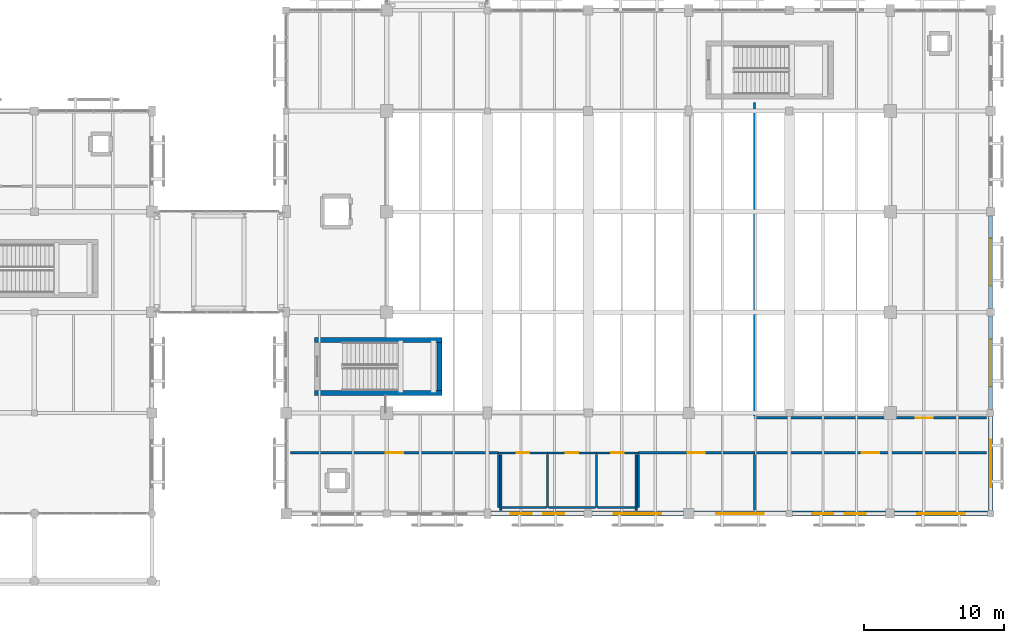
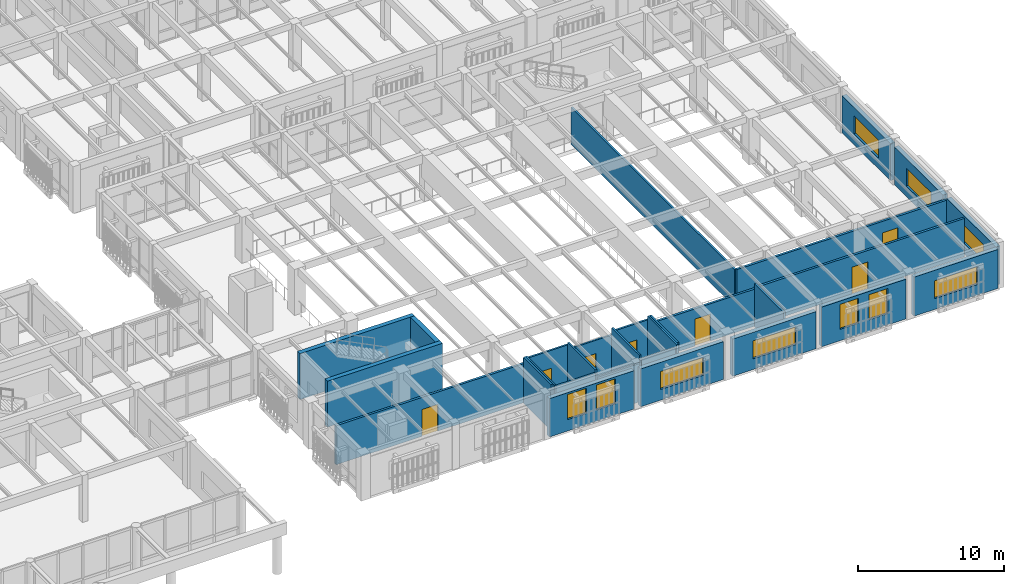
# One storey, part 137 of 170: 29 walls, 10 windows, 7 doors, 17 openings.
"""IFC4 building model written with IfcOpenShell, lengths in metres."""

from ifc_helpers import new_model, si_unit, direction, frame, frame_2d, origin, place, context, subcontext, project, spatial, rectangle, extrude, material, layer, layer_set, type_object, element, fill, save


model = new_model("IFC4")

# Units and contexts
model_context = context("Model", 3, precision=1e-05, world=origin(), true_north=direction((0.0, 1.0)))
body_context = subcontext(model_context, "Body", "Model", "MODEL_VIEW")
ifc_project = project(units=[si_unit("LENGTHUNIT", "METRE"), si_unit("AREAUNIT", "SQUARE_METRE"), si_unit("VOLUMEUNIT", "CUBIC_METRE"), si_unit("PLANEANGLEUNIT", "RADIAN"), si_unit("MASSUNIT", "GRAM", prefix="KILO")], contexts=[model_context])

# Site, building, storey
site_placement = place(None, origin())
site = spatial("IfcSite", under=ifc_project, at=site_placement, CompositionType="ELEMENT")
building_placement = place(site_placement, origin())
building = spatial("IfcBuilding", under=site, at=building_placement, Name="Mazaris Harbour Polytechnic", CompositionType="ELEMENT")
storey_placement = place(building_placement, frame((0.0, 0.0, 5.39990234375)))
storey = spatial("IfcBuildingStorey", under=building, at=storey_placement, Name="L01", CompositionType="ELEMENT", Elevation=5.39990234375)

# Walls
ifc_material_1 = material(Name="Double Gypsum and Mineral Wool")
ifc_layer_1 = layer(ifc_material_1, 0.14990234375, Name="Double Gypsum and Mineral Wool")
ifc_layer_set_1 = layer_set([ifc_layer_1], Name="Double Gypsum and Mineral Wool")
wall_type_1 = type_object("IfcWallType", Name="Classroom Acoustic Partition 150", PredefinedType="PARTITIONING", material=ifc_layer_set_1)
wall_1_placement = place(storey_placement, frame((155.89990234375, 7.449951171875, 0.0), z_axis=(0.0, 0.0, 1.0), x_axis=(0.0, 1.0, 0.0)))
element("IfcWall", 1, at=wall_1_placement, inside=storey, type_object=wall_type_1, Name="V2 L01 Partition 131", PredefinedType="PARTITIONING", context=body_context, shape_type="SweptSolid", body=[
    extrude(rectangle(XDim=3.97998046875, YDim=0.14990234375, at=frame_2d((1.989990234375, 0.0))), origin(), (0.0, 0.0, 1.0), 3.610107421875),
])
wall_2_placement = place(storey_placement, frame((155.89990234375, 14.169921875, 0.0), z_axis=(0.0, 0.0, 1.0), x_axis=(0.0, 1.0, 0.0)))
element("IfcWall", 2, at=wall_2_placement, inside=storey, type_object=wall_type_1, Name="V2 L01 Partition 134", PredefinedType="PARTITIONING", context=body_context, shape_type="SweptSolid", body=[
    extrude(rectangle(XDim=22.425048828125, YDim=0.14990234375, at=frame_2d((11.21240234375, 0.0))), origin(), (0.0, 0.0, 1.0), 3.110107421875),
])

# Wall, opening, door
ifc_material_2 = material(Name="Terracotta Block and Plaster", Category="masonry")
ifc_layer_2 = layer(ifc_material_2, 0.179931640625, Name="Terracotta Block and Plaster")
ifc_layer_set_2 = layer_set([ifc_layer_2], Name="Terracotta Block and Plaster")
wall_type_2 = type_object("IfcWallType", Name="Corridor Fire Partition 180", PredefinedType="PARTITIONING", material=ifc_layer_set_2)
wall_3_placement = place(storey_placement, frame((122.699951171875, 11.550048828125, 0.0), z_axis=(0.0, 0.0, 1.0), x_axis=(1.0, 0.0, 0.0)))
wall_3 = element("IfcWall", 3, at=wall_3_placement, inside=storey, type_object=wall_type_2, Name="V2 L01 Partition 127", PredefinedType="PARTITIONING", context=body_context, shape_type="SweptSolid", body=[
    extrude(rectangle(XDim=14.89501953125, YDim=0.179931640625, at=frame_2d((7.447509765625, 0.0))), origin(), (0.0, 0.0, 1.0), 3.27001953125),
])
opening_1_placement = place(wall_3_placement, frame((6.827392578125, 0.0, 0.0)))
opening_1 = element("IfcOpeningElement", 4, at=opening_1_placement, cuts=wall_3, Name="Opening ID-10R", PredefinedType="OPENING", context=body_context, shape_type="SweptSolid", body=[
    extrude(rectangle(XDim=1.239990234375, YDim=2.25, at=frame_2d((0.6201171875, 1.125))), frame((0.0, 0.099853515625, 0.0), z_axis=(0.0, -1.0, 0.0), x_axis=(1.0, 0.0, 0.0)), (0.0, 0.0, 1.0), 0.199951171875),
])
ifc_material_3 = material(Name="Glulam Timber and Glass", Category="wood")
door_type_1 = type_object("IfcDoorType", Name="Library Commons Door RH 1240x2250", OperationType="SINGLE_SWING_RIGHT", PredefinedType="DOOR", material=ifc_material_3)
door_1_placement = place(opening_1_placement, origin())
door_1 = element("IfcDoor", 5, at=door_1_placement, inside=storey, type_object=door_type_1, Name="ID-0060", OperationType="SINGLE_SWING_RIGHT", OverallHeight=2.25, OverallWidth=1.239990234375, PredefinedType="DOOR", context=body_context, shape_type="SweptSolid", body=[
    extrude(rectangle(XDim=1.239990234375, YDim=2.25, at=frame_2d((0.6201171875, 1.125))), frame((0.0, 0.02490234375, 0.0), z_axis=(0.0, -1.0, 0.0), x_axis=(1.0, 0.0, 0.0)), (0.0, 0.0, 1.0), 0.050048828125),
])
fill(opening_1, door_1)

wall_4_placement = place(storey_placement, frame((147.60498046875, 11.550048828125, 0.0), z_axis=(0.0, 0.0, 1.0), x_axis=(1.0, 0.0, 0.0)))
wall_4 = element("IfcWall", 6, at=wall_4_placement, inside=storey, type_object=wall_type_2, Name="V2 L01 Partition 129", PredefinedType="PARTITIONING", context=body_context, shape_type="SweptSolid", body=[
    extrude(rectangle(XDim=8.294921875, YDim=0.179931640625, at=frame_2d((4.1474609375, 0.0))), origin(), (0.0, 0.0, 1.0), 3.110107421875),
])
opening_2_placement = place(wall_4_placement, frame((3.53759765625, 0.0, 0.0)))
opening_2 = element("IfcOpeningElement", 7, at=opening_2_placement, cuts=wall_4, Name="Opening ID-10L", PredefinedType="OPENING", context=body_context, shape_type="SweptSolid", body=[
    extrude(rectangle(XDim=1.219970703125, YDim=2.25, at=frame_2d((0.60986328125, 1.125))), frame((0.0, 0.099853515625, 0.0), z_axis=(0.0, -1.0, 0.0), x_axis=(1.0, 0.0, 0.0)), (0.0, 0.0, 1.0), 0.199951171875),
])
ifc_material_4 = material(Name="Glulam Timber and Glass", Category="wood")
door_type_2 = type_object("IfcDoorType", Name="Library Commons Door LH 1220x2250", OperationType="SINGLE_SWING_LEFT", PredefinedType="DOOR", material=ifc_material_4)
door_2_placement = place(opening_2_placement, origin())
door_2 = element("IfcDoor", 8, at=door_2_placement, inside=storey, type_object=door_type_2, Name="ID-0061", OperationType="SINGLE_SWING_LEFT", OverallHeight=2.25, OverallWidth=1.219970703125, PredefinedType="DOOR", context=body_context, shape_type="SweptSolid", body=[
    extrude(rectangle(XDim=1.219970703125, YDim=2.25, at=frame_2d((0.60986328125, 1.125))), frame((0.0, 0.02490234375, 0.0), z_axis=(0.0, -1.0, 0.0), x_axis=(1.0, 0.0, 0.0)), (0.0, 0.0, 1.0), 0.050048828125),
])
fill(opening_2, door_2)

wall_5_placement = place(storey_placement, frame((155.905029296875, 11.550048828125, 0.0), z_axis=(0.0, 0.0, 1.0), x_axis=(1.0, 0.0, 0.0)))
wall_5 = element("IfcWall", 9, at=wall_5_placement, inside=storey, type_object=wall_type_2, Name="V2 L01 Partition 132", PredefinedType="PARTITIONING", context=body_context, shape_type="SweptSolid", body=[
    extrude(rectangle(XDim=16.594970703125, YDim=0.179931640625, at=frame_2d((8.29736328125, 0.0))), origin(), (0.0, 0.0, 1.0), 3.210205078125),
])
opening_3_placement = place(wall_5_placement, frame((7.677490234375, 0.0, 0.0)))
opening_3 = element("IfcOpeningElement", 10, at=opening_3_placement, cuts=wall_5, Name="Opening ID-10R", PredefinedType="OPENING", context=body_context, shape_type="SweptSolid", body=[
    extrude(rectangle(XDim=1.239990234375, YDim=2.25, at=frame_2d((0.6201171875, 1.125))), frame((0.0, 0.099853515625, 0.0), z_axis=(0.0, -1.0, 0.0), x_axis=(1.0, 0.0, 0.0)), (0.0, 0.0, 1.0), 0.199951171875),
])
door_3_placement = place(opening_3_placement, origin())
door_3 = element("IfcDoor", 11, at=door_3_placement, inside=storey, type_object=door_type_1, Name="ID-0062", OperationType="SINGLE_SWING_RIGHT", OverallHeight=2.25, OverallWidth=1.239990234375, PredefinedType="DOOR", context=body_context, shape_type="SweptSolid", body=[
    extrude(rectangle(XDim=1.239990234375, YDim=2.25, at=frame_2d((0.6201171875, 1.125))), frame((0.0, 0.02490234375, 0.0), z_axis=(0.0, -1.0, 0.0), x_axis=(1.0, 0.0, 0.0)), (0.0, 0.0, 1.0), 0.050048828125),
])
fill(opening_3, door_3)

wall_6_placement = place(storey_placement, frame((155.89990234375, 14.050048828125, 0.0), z_axis=(0.0, 0.0, 1.0), x_axis=(1.0, 0.0, 0.0)))
wall_6 = element("IfcWall", 12, at=wall_6_placement, inside=storey, type_object=wall_type_2, Name="V2 L01 Partition 133", PredefinedType="PARTITIONING", context=body_context, shape_type="SweptSolid", body=[
    extrude(rectangle(XDim=16.60009765625, YDim=0.179931640625, at=frame_2d((8.300048828125, 0.0))), origin(), (0.0, 0.0, 1.0), 3.210205078125),
])
opening_4_placement = place(wall_6_placement, frame((11.534912109375, 0.0, 0.0)))
opening_4 = element("IfcOpeningElement", 13, at=opening_4_placement, cuts=wall_6, Name="Opening ID-10L", PredefinedType="OPENING", context=body_context, shape_type="SweptSolid", body=[
    extrude(rectangle(XDim=1.219970703125, YDim=2.25, at=frame_2d((0.60986328125, 1.125))), frame((0.0, 0.099853515625, 0.0), z_axis=(0.0, -1.0, 0.0), x_axis=(1.0, 0.0, 0.0)), (0.0, 0.0, 1.0), 0.199951171875),
])
door_4_placement = place(opening_4_placement, origin())
door_4 = element("IfcDoor", 14, at=door_4_placement, inside=storey, type_object=door_type_2, Name="ID-0063", OperationType="SINGLE_SWING_LEFT", OverallHeight=2.25, OverallWidth=1.219970703125, PredefinedType="DOOR", context=body_context, shape_type="SweptSolid", body=[
    extrude(rectangle(XDim=1.219970703125, YDim=2.25, at=frame_2d((0.60986328125, 1.125))), frame((0.0, 0.02490234375, 0.0), z_axis=(0.0, -1.0, 0.0), x_axis=(1.0, 0.0, 0.0)), (0.0, 0.0, 1.0), 0.050048828125),
])
fill(opening_4, door_4)

# Wall, openings, windows
ifc_material_5 = material(Name="Algerian Buff Limestone and Concrete C30/37", Category="masonry")
ifc_layer_3 = layer(ifc_material_5, 0.344970703125, Name="Algerian Buff Limestone and Concrete C30/37")
ifc_layer_set_3 = layer_set([ifc_layer_3], Name="Algerian Buff Limestone and Concrete C30/37")
wall_type_3 = type_object("IfcWallType", Name="Pavilion Gable Wall 345", PredefinedType="STANDARD", material=ifc_layer_set_3)
wall_7_placement = place(storey_placement, frame((143.73291015625, 7.199951171875, 0.0), z_axis=(0.0, 0.0, 1.0), x_axis=(-1.0, 0.0, 0.0)))
wall_7 = element("IfcWall", 15, at=wall_7_placement, inside=storey, type_object=wall_type_3, Name="V2 L01 Exterior Wall 53", PredefinedType="STANDARD", context=body_context, shape_type="SweptSolid", body=[
    extrude(rectangle(XDim=6.69091796875, YDim=0.344970703125, at=frame_2d((3.345458984375, 0.0))), origin(), (0.0, 0.0, 1.0), 3.210205078125),
])
opening_5_placement = place(wall_7_placement, frame((1.445556640625, 0.0, 0.949951171875)))
opening_5 = element("IfcOpeningElement", 16, at=opening_5_placement, cuts=wall_7, Name="Opening WN-10", PredefinedType="OPENING", context=body_context, shape_type="SweptSolid", body=[
    extrude(rectangle(XDim=1.5, YDim=2.10009765625, at=frame_2d((0.75, 1.050048828125))), frame((0.0, 0.182373046875, 0.0), z_axis=(0.0, -1.0, 0.0), x_axis=(1.0, 0.0, 0.0)), (0.0, 0.0, 1.0), 0.364990234375),
])
opening_6_placement = place(wall_7_placement, frame((3.74560546875, 0.0, 0.949951171875)))
opening_6 = element("IfcOpeningElement", 17, at=opening_6_placement, cuts=wall_7, Name="Opening WN-10", PredefinedType="OPENING", context=body_context, shape_type="SweptSolid", body=[
    extrude(rectangle(XDim=1.5, YDim=2.10009765625, at=frame_2d((0.75, 1.050048828125))), frame((0.0, 0.182373046875, 0.0), z_axis=(0.0, -1.0, 0.0), x_axis=(1.0, 0.0, 0.0)), (0.0, 0.0, 1.0), 0.364990234375),
])
ifc_material_6 = material(Name="Thermally Broken Bronze Aluminium and Low-E Glass", Category="aluminium")
window_type_1 = type_object("IfcWindowType", Name="Seminar Casement Window 1500x2100", PartitioningType="DOUBLE_PANEL_VERTICAL", PredefinedType="WINDOW", material=ifc_material_6)
window_1_placement = place(opening_5_placement, origin())
window_1 = element("IfcWindow", 18, at=window_1_placement, inside=storey, type_object=window_type_1, Name="WN-0041", OverallHeight=2.10009765625, OverallWidth=1.5, PartitioningType="DOUBLE_PANEL_VERTICAL", PredefinedType="WINDOW", context=body_context, shape_type="SweptSolid", body=[
    extrude(rectangle(XDim=1.5, YDim=2.10009765625, at=frame_2d((0.75, 1.050048828125))), frame((0.0, 0.030029296875, 0.0), z_axis=(0.0, -1.0, 0.0), x_axis=(1.0, 0.0, 0.0)), (0.0, 0.0, 1.0), 0.06005859375),
])
fill(opening_5, window_1)
window_2_placement = place(opening_6_placement, origin())
window_2 = element("IfcWindow", 19, at=window_2_placement, inside=storey, type_object=window_type_1, Name="WN-0042", OverallHeight=2.10009765625, OverallWidth=1.5, PartitioningType="DOUBLE_PANEL_VERTICAL", PredefinedType="WINDOW", context=body_context, shape_type="SweptSolid", body=[
    extrude(rectangle(XDim=1.5, YDim=2.10009765625, at=frame_2d((0.75, 1.050048828125))), frame((0.0, 0.030029296875, 0.0), z_axis=(0.0, -1.0, 0.0), x_axis=(1.0, 0.0, 0.0)), (0.0, 0.0, 1.0), 0.06005859375),
])
fill(opening_6, window_2)

# Wall, opening, window
wall_8_placement = place(storey_placement, frame((150.8330078125, 7.199951171875, 0.0), z_axis=(0.0, 0.0, 1.0), x_axis=(-1.0, 0.0, 0.0)))
wall_8 = element("IfcWall", 20, at=wall_8_placement, inside=storey, type_object=wall_type_3, Name="V2 L01 Exterior Wall 54", PredefinedType="STANDARD", context=body_context, shape_type="SweptSolid", body=[
    extrude(rectangle(XDim=6.56591796875, YDim=0.344970703125, at=frame_2d((3.282958984375, 0.0))), origin(), (0.0, 0.0, 1.0), 3.170166015625),
])
opening_7_placement = place(wall_8_placement, frame((1.5830078125, 0.0, 0.89990234375)))
opening_7 = element("IfcOpeningElement", 21, at=opening_7_placement, cuts=wall_8, Name="Opening WN-16", PredefinedType="OPENING", context=body_context, shape_type="SweptSolid", body=[
    extrude(rectangle(XDim=3.39990234375, YDim=1.5, at=frame_2d((1.699951171875, 0.75))), frame((0.0, 0.182373046875, 0.0), z_axis=(0.0, -1.0, 0.0), x_axis=(1.0, 0.0, 0.0)), (0.0, 0.0, 1.0), 0.364990234375),
])
ifc_material_7 = material(Name="Thermally Broken Bronze Aluminium and Low-E Glass", Category="aluminium")
window_type_2 = type_object("IfcWindowType", Name="Workshop Clerestory Ribbon 3400x1500", PartitioningType="DOUBLE_PANEL_VERTICAL", PredefinedType="WINDOW", material=ifc_material_7)
window_3_placement = place(opening_7_placement, origin())
window_3 = element("IfcWindow", 22, at=window_3_placement, inside=storey, type_object=window_type_2, Name="WN-0043", OverallHeight=1.5, OverallWidth=3.39990234375, PartitioningType="DOUBLE_PANEL_VERTICAL", PredefinedType="WINDOW", context=body_context, shape_type="SweptSolid", body=[
    extrude(rectangle(XDim=3.39990234375, YDim=1.5, at=frame_2d((1.699951171875, 0.75))), frame((0.0, 0.030029296875, 0.0), z_axis=(0.0, -1.0, 0.0), x_axis=(1.0, 0.0, 0.0)), (0.0, 0.0, 1.0), 0.06005859375),
])
fill(opening_7, window_3)

wall_9_placement = place(storey_placement, frame((158.18310546875, 7.199951171875, 0.0), z_axis=(0.0, 0.0, 1.0), x_axis=(-1.0, 0.0, 0.0)))
wall_9 = element("IfcWall", 23, at=wall_9_placement, inside=storey, type_object=wall_type_3, Name="V2 L01 Exterior Wall 55", PredefinedType="STANDARD", context=body_context, shape_type="SweptSolid", body=[
    extrude(rectangle(XDim=6.6162109375, YDim=0.344970703125, at=frame_2d((3.30810546875, 0.0))), origin(), (0.0, 0.0, 1.0), 3.110107421875),
])
opening_8_placement = place(wall_9_placement, frame((1.60791015625, 0.0, 0.89990234375)))
opening_8 = element("IfcOpeningElement", 24, at=opening_8_placement, cuts=wall_9, Name="Opening WN-16", PredefinedType="OPENING", context=body_context, shape_type="SweptSolid", body=[
    extrude(rectangle(XDim=3.39990234375, YDim=1.5, at=frame_2d((1.699951171875, 0.75))), frame((0.0, 0.182373046875, 0.0), z_axis=(0.0, -1.0, 0.0), x_axis=(1.0, 0.0, 0.0)), (0.0, 0.0, 1.0), 0.364990234375),
])
window_4_placement = place(opening_8_placement, origin())
window_4 = element("IfcWindow", 25, at=window_4_placement, inside=storey, type_object=window_type_2, Name="WN-0044", OverallHeight=1.5, OverallWidth=3.39990234375, PartitioningType="DOUBLE_PANEL_VERTICAL", PredefinedType="WINDOW", context=body_context, shape_type="SweptSolid", body=[
    extrude(rectangle(XDim=3.39990234375, YDim=1.5, at=frame_2d((1.699951171875, 0.75))), frame((0.0, 0.030029296875, 0.0), z_axis=(0.0, -1.0, 0.0), x_axis=(1.0, 0.0, 0.0)), (0.0, 0.0, 1.0), 0.06005859375),
])
fill(opening_8, window_4)

# Wall, openings, windows
wall_10_placement = place(storey_placement, frame((165.282958984375, 7.199951171875, 0.0), z_axis=(0.0, 0.0, 1.0), x_axis=(-1.0, 0.0, 0.0)))
wall_10 = element("IfcWall", 26, at=wall_10_placement, inside=storey, type_object=wall_type_3, Name="V2 L01 Exterior Wall 56", PredefinedType="STANDARD", context=body_context, shape_type="SweptSolid", body=[
    extrude(rectangle(XDim=6.666015625, YDim=0.344970703125, at=frame_2d((3.3330078125, 0.0))), origin(), (0.0, 0.0, 1.0), 3.330078125),
])
opening_9_placement = place(wall_10_placement, frame((1.43310546875, 0.0, 0.949951171875)))
opening_9 = element("IfcOpeningElement", 27, at=opening_9_placement, cuts=wall_10, Name="Opening WN-10", PredefinedType="OPENING", context=body_context, shape_type="SweptSolid", body=[
    extrude(rectangle(XDim=1.5, YDim=2.10009765625, at=frame_2d((0.75, 1.050048828125))), frame((0.0, 0.182373046875, 0.0), z_axis=(0.0, -1.0, 0.0), x_axis=(1.0, 0.0, 0.0)), (0.0, 0.0, 1.0), 0.364990234375),
])
opening_10_placement = place(wall_10_placement, frame((3.73291015625, 0.0, 0.949951171875)))
opening_10 = element("IfcOpeningElement", 28, at=opening_10_placement, cuts=wall_10, Name="Opening WN-10", PredefinedType="OPENING", context=body_context, shape_type="SweptSolid", body=[
    extrude(rectangle(XDim=1.5, YDim=2.10009765625, at=frame_2d((0.75, 1.050048828125))), frame((0.0, 0.182373046875, 0.0), z_axis=(0.0, -1.0, 0.0), x_axis=(1.0, 0.0, 0.0)), (0.0, 0.0, 1.0), 0.364990234375),
])
window_5_placement = place(opening_9_placement, origin())
window_5 = element("IfcWindow", 29, at=window_5_placement, inside=storey, type_object=window_type_1, Name="WN-0045", OverallHeight=2.10009765625, OverallWidth=1.5, PartitioningType="DOUBLE_PANEL_VERTICAL", PredefinedType="WINDOW", context=body_context, shape_type="SweptSolid", body=[
    extrude(rectangle(XDim=1.5, YDim=2.10009765625, at=frame_2d((0.75, 1.050048828125))), frame((0.0, 0.030029296875, 0.0), z_axis=(0.0, -1.0, 0.0), x_axis=(1.0, 0.0, 0.0)), (0.0, 0.0, 1.0), 0.06005859375),
])
fill(opening_9, window_5)
window_6_placement = place(opening_10_placement, origin())
window_6 = element("IfcWindow", 30, at=window_6_placement, inside=storey, type_object=window_type_1, Name="WN-0046", OverallHeight=2.10009765625, OverallWidth=1.5, PartitioningType="DOUBLE_PANEL_VERTICAL", PredefinedType="WINDOW", context=body_context, shape_type="SweptSolid", body=[
    extrude(rectangle(XDim=1.5, YDim=2.10009765625, at=frame_2d((0.75, 1.050048828125))), frame((0.0, 0.030029296875, 0.0), z_axis=(0.0, -1.0, 0.0), x_axis=(1.0, 0.0, 0.0)), (0.0, 0.0, 1.0), 0.06005859375),
])
fill(opening_10, window_6)

# Wall, opening, window
wall_11_placement = place(storey_placement, frame((172.5830078125, 7.199951171875, 0.0), z_axis=(0.0, 0.0, 1.0), x_axis=(-1.0, 0.0, 0.0)))
wall_11 = element("IfcWall", 31, at=wall_11_placement, inside=storey, type_object=wall_type_3, Name="V2 L01 Exterior Wall 57", PredefinedType="STANDARD", context=body_context, shape_type="SweptSolid", body=[
    extrude(rectangle(XDim=6.666015625, YDim=0.344970703125, at=frame_2d((3.3330078125, 0.0))), origin(), (0.0, 0.0, 1.0), 3.27001953125),
])
opening_11_placement = place(wall_11_placement, frame((1.633056640625, 0.0, 0.89990234375)))
opening_11 = element("IfcOpeningElement", 32, at=opening_11_placement, cuts=wall_11, Name="Opening WN-16", PredefinedType="OPENING", context=body_context, shape_type="SweptSolid", body=[
    extrude(rectangle(XDim=3.39990234375, YDim=1.5, at=frame_2d((1.699951171875, 0.75))), frame((0.0, 0.182373046875, 0.0), z_axis=(0.0, -1.0, 0.0), x_axis=(1.0, 0.0, 0.0)), (0.0, 0.0, 1.0), 0.364990234375),
])
window_7_placement = place(opening_11_placement, origin())
window_7 = element("IfcWindow", 33, at=window_7_placement, inside=storey, type_object=window_type_2, Name="WN-0047", OverallHeight=1.5, OverallWidth=3.39990234375, PartitioningType="DOUBLE_PANEL_VERTICAL", PredefinedType="WINDOW", context=body_context, shape_type="SweptSolid", body=[
    extrude(rectangle(XDim=3.39990234375, YDim=1.5, at=frame_2d((1.699951171875, 0.75))), frame((0.0, 0.030029296875, 0.0), z_axis=(0.0, -1.0, 0.0), x_axis=(1.0, 0.0, 0.0)), (0.0, 0.0, 1.0), 0.06005859375),
])
fill(opening_11, window_7)

wall_12_placement = place(storey_placement, frame((172.800048828125, 14.157958984375, 0.0), z_axis=(0.0, 0.0, 1.0), x_axis=(0.0, -1.0, 0.0)))
wall_12 = element("IfcWall", 34, at=wall_12_placement, inside=storey, type_object=wall_type_3, Name="V2 L01 Exterior Wall 62", PredefinedType="STANDARD", context=body_context, shape_type="SweptSolid", body=[
    extrude(rectangle(XDim=6.740966796875, YDim=0.344970703125, at=frame_2d((3.37060546875, 0.0))), origin(), (0.0, 0.0, 1.0), 3.210205078125),
])
opening_12_placement = place(wall_12_placement, frame((1.67041015625, 0.0, 0.89990234375)))
opening_12 = element("IfcOpeningElement", 35, at=opening_12_placement, cuts=wall_12, Name="Opening WN-16", PredefinedType="OPENING", context=body_context, shape_type="SweptSolid", body=[
    extrude(rectangle(XDim=3.39990234375, YDim=1.5, at=frame_2d((1.699951171875, 0.75))), frame((0.0, 0.182373046875, 0.0), z_axis=(0.0, -1.0, 0.0), x_axis=(1.0, 0.0, 0.0)), (0.0, 0.0, 1.0), 0.364990234375),
])
window_8_placement = place(opening_12_placement, origin())
window_8 = element("IfcWindow", 36, at=window_8_placement, inside=storey, type_object=window_type_2, Name="WN-0053", OverallHeight=1.5, OverallWidth=3.39990234375, PartitioningType="DOUBLE_PANEL_VERTICAL", PredefinedType="WINDOW", context=body_context, shape_type="SweptSolid", body=[
    extrude(rectangle(XDim=3.39990234375, YDim=1.5, at=frame_2d((1.699951171875, 0.75))), frame((0.0, 0.030029296875, 0.0), z_axis=(0.0, -1.0, 0.0), x_axis=(1.0, 0.0, 0.0)), (0.0, 0.0, 1.0), 0.06005859375),
])
fill(opening_12, window_8)

wall_13_placement = place(storey_placement, frame((172.800048828125, 21.3330078125, 0.0), z_axis=(0.0, 0.0, 1.0), x_axis=(0.0, -1.0, 0.0)))
wall_13 = element("IfcWall", 37, at=wall_13_placement, inside=storey, type_object=wall_type_3, Name="V2 L01 Exterior Wall 63", PredefinedType="STANDARD", context=body_context, shape_type="SweptSolid", body=[
    extrude(rectangle(XDim=6.69091796875, YDim=0.344970703125, at=frame_2d((3.345458984375, 0.0))), origin(), (0.0, 0.0, 1.0), 3.170166015625),
])
opening_13_placement = place(wall_13_placement, frame((1.6455078125, 0.0, 0.89990234375)))
opening_13 = element("IfcOpeningElement", 38, at=opening_13_placement, cuts=wall_13, Name="Opening WN-16", PredefinedType="OPENING", context=body_context, shape_type="SweptSolid", body=[
    extrude(rectangle(XDim=3.39990234375, YDim=1.5, at=frame_2d((1.699951171875, 0.75))), frame((0.0, 0.182373046875, 0.0), z_axis=(0.0, -1.0, 0.0), x_axis=(1.0, 0.0, 0.0)), (0.0, 0.0, 1.0), 0.364990234375),
])
window_9_placement = place(opening_13_placement, origin())
window_9 = element("IfcWindow", 39, at=window_9_placement, inside=storey, type_object=window_type_2, Name="WN-0054", OverallHeight=1.5, OverallWidth=3.39990234375, PartitioningType="DOUBLE_PANEL_VERTICAL", PredefinedType="WINDOW", context=body_context, shape_type="SweptSolid", body=[
    extrude(rectangle(XDim=3.39990234375, YDim=1.5, at=frame_2d((1.699951171875, 0.75))), frame((0.0, 0.030029296875, 0.0), z_axis=(0.0, -1.0, 0.0), x_axis=(1.0, 0.0, 0.0)), (0.0, 0.0, 1.0), 0.06005859375),
])
fill(opening_13, window_9)

wall_14_placement = place(storey_placement, frame((172.800048828125, 28.508056640625, 0.0), z_axis=(0.0, 0.0, 1.0), x_axis=(0.0, -1.0, 0.0)))
wall_14 = element("IfcWall", 40, at=wall_14_placement, inside=storey, type_object=wall_type_3, Name="V2 L01 Exterior Wall 64", PredefinedType="STANDARD", context=body_context, shape_type="SweptSolid", body=[
    extrude(rectangle(XDim=6.64111328125, YDim=0.344970703125, at=frame_2d((3.320556640625, 0.0))), origin(), (0.0, 0.0, 1.0), 3.110107421875),
])
opening_14_placement = place(wall_14_placement, frame((1.62060546875, 0.0, 0.89990234375)))
opening_14 = element("IfcOpeningElement", 41, at=opening_14_placement, cuts=wall_14, Name="Opening WN-16", PredefinedType="OPENING", context=body_context, shape_type="SweptSolid", body=[
    extrude(rectangle(XDim=3.39990234375, YDim=1.5, at=frame_2d((1.699951171875, 0.75))), frame((0.0, 0.182373046875, 0.0), z_axis=(0.0, -1.0, 0.0), x_axis=(1.0, 0.0, 0.0)), (0.0, 0.0, 1.0), 0.364990234375),
])
window_10_placement = place(opening_14_placement, origin())
window_10 = element("IfcWindow", 42, at=window_10_placement, inside=storey, type_object=window_type_2, Name="WN-0055", OverallHeight=1.5, OverallWidth=3.39990234375, PartitioningType="DOUBLE_PANEL_VERTICAL", PredefinedType="WINDOW", context=body_context, shape_type="SweptSolid", body=[
    extrude(rectangle(XDim=3.39990234375, YDim=1.5, at=frame_2d((1.699951171875, 0.75))), frame((0.0, 0.030029296875, 0.0), z_axis=(0.0, -1.0, 0.0), x_axis=(1.0, 0.0, 0.0)), (0.0, 0.0, 1.0), 0.06005859375),
])
fill(opening_14, window_10)

# Walls
ifc_material_8 = material(Name="Concrete C40/50", Category="concrete")
ifc_layer_4 = layer(ifc_material_8, 0.35009765625, Name="Concrete C40/50")
ifc_layer_set_4 = layer_set([ifc_layer_4], Name="Concrete C40/50")
wall_type_4 = type_object("IfcWallType", Name="RC Core Shear Wall 350", PredefinedType="SHEAR", material=ifc_layer_set_4)
for number, where, z_axis, x_axis, name in (
    (43, (124.449951171875, 15.824951171875, 0.0), (0.0, 0.0, 1.0), (1.0, 0.0, 0.0), "Core ST03 L01 Shear Wall S"),
    (44, (133.550048828125, 19.625, 0.0), (0.0, 0.0, 1.0), (-1.0, 0.0, 0.0), "Core ST03 L01 Shear Wall N"),
):
    element("IfcWall", number, at=place(storey_placement, frame(where, z_axis=z_axis, x_axis=x_axis)), inside=storey, type_object=wall_type_4, Name=name, PredefinedType="SHEAR", context=body_context, shape_type="SweptSolid", body=[
        extrude(rectangle(XDim=9.10009765625, YDim=0.35009765625, at=frame_2d((4.550048828125, 0.0))), origin(), (0.0, 0.0, 1.0), 3.85009765625),
    ])
wall_15_placement = place(storey_placement, frame((133.375, 16.0, 0.0), z_axis=(0.0, 0.0, 1.0), x_axis=(0.0, 1.0, 0.0)))
element("IfcWall", 45, at=wall_15_placement, inside=storey, type_object=wall_type_4, Name="Core ST03 L01 Shear Wall E", PredefinedType="SHEAR", context=body_context, shape_type="SweptSolid", body=[
    extrude(rectangle(XDim=3.449951171875, YDim=0.35009765625, at=frame_2d((1.72509765625, 0.0))), origin(), (0.0, 0.0, 1.0), 3.85009765625),
])

# Wall, opening, door
ifc_material_9 = material(Name="Moisture-Resistant Gypsum and Steel Stud", Category="steel")
ifc_layer_5 = layer(ifc_material_9, 0.14501953125, Name="Moisture-Resistant Gypsum and Steel Stud")
ifc_layer_set_5 = layer_set([ifc_layer_5], Name="Moisture-Resistant Gypsum and Steel Stud")
wall_type_5 = type_object("IfcWallType", Name="Sanitary Plumbing Wall 145", PredefinedType="PLUMBINGWALL", material=ifc_layer_set_5)
wall_16_placement = place(storey_placement, frame((137.60009765625, 11.550048828125, 0.0), z_axis=(0.0, 0.0, 1.0), x_axis=(1.0, 0.0, 0.0)))
wall_16 = element("IfcWall", 46, at=wall_16_placement, inside=storey, type_object=wall_type_5, Name="V2 L01 Partition 120", PredefinedType="PLUMBINGWALL", context=body_context, shape_type="SweptSolid", body=[
    extrude(rectangle(XDim=3.5, YDim=0.14501953125, at=frame_2d((1.75, 0.0))), origin(), (0.0, 0.0, 1.0), 3.610107421875),
])
opening_15_placement = place(wall_16_placement, frame((1.300048828125, 0.0, 0.0)))
opening_15 = element("IfcOpeningElement", 47, at=opening_15_placement, cuts=wall_16, Name="Opening ID-07R", PredefinedType="OPENING", context=body_context, shape_type="SweptSolid", body=[
    extrude(rectangle(XDim=0.89990234375, YDim=2.10009765625, at=frame_2d((0.449951171875, 1.050048828125))), frame((0.0, 0.08251953125, 0.0), z_axis=(0.0, -1.0, 0.0), x_axis=(1.0, 0.0, 0.0)), (0.0, 0.0, 1.0), 0.1650390625),
])
ifc_material_10 = material(Name="Moisture-Resistant Laminate Timber", Category="wood")
door_type_3 = type_object("IfcDoorType", Name="Sanitary Room Door RH 900x2100", OperationType="SINGLE_SWING_RIGHT", PredefinedType="DOOR", material=ifc_material_10)
door_5_placement = place(opening_15_placement, origin())
door_5 = element("IfcDoor", 48, at=door_5_placement, inside=storey, type_object=door_type_3, Name="ID-0057", OperationType="SINGLE_SWING_RIGHT", OverallHeight=2.10009765625, OverallWidth=0.89990234375, PredefinedType="DOOR", context=body_context, shape_type="SweptSolid", body=[
    extrude(rectangle(XDim=0.89990234375, YDim=2.10009765625, at=frame_2d((0.449951171875, 1.050048828125))), frame((0.0, 0.02490234375, 0.0), z_axis=(0.0, -1.0, 0.0), x_axis=(1.0, 0.0, 0.0)), (0.0, 0.0, 1.0), 0.050048828125),
])
fill(opening_15, door_5)

# Walls
for number, where, z_axis, x_axis, name in (
    (49, (137.60009765625, 7.64990234375, 0.0), (0.0, 0.0, 1.0), (0.0, 1.0, 0.0), "V2 L01 Partition 121"),
    (50, (141.10009765625, 7.64990234375, 0.0), (0.0, 0.0, 1.0), (0.0, 1.0, 0.0), "V2 L01 Partition 122"),
):
    element("IfcWall", number, at=place(storey_placement, frame(where, z_axis=z_axis, x_axis=x_axis)), inside=storey, type_object=wall_type_5, Name=name, PredefinedType="PLUMBINGWALL", context=body_context, shape_type="SweptSolid", body=[
        extrude(rectangle(XDim=3.780029296875, YDim=0.14501953125, at=frame_2d((1.89013671875, 0.0))), origin(), (0.0, 0.0, 1.0), 3.85009765625),
    ])

# Wall, opening, door
wall_17_placement = place(storey_placement, frame((141.10498046875, 11.550048828125, 0.0), z_axis=(0.0, 0.0, 1.0), x_axis=(1.0, 0.0, 0.0)))
wall_17 = element("IfcWall", 51, at=wall_17_placement, inside=storey, type_object=wall_type_5, Name="V2 L01 Partition 123", PredefinedType="PLUMBINGWALL", context=body_context, shape_type="SweptSolid", body=[
    extrude(rectangle(XDim=3.4951171875, YDim=0.14501953125, at=frame_2d((1.74755859375, 0.0))), origin(), (0.0, 0.0, 1.0), 3.210205078125),
])
opening_16_placement = place(wall_17_placement, frame((1.297607421875, 0.0, 0.0)))
opening_16 = element("IfcOpeningElement", 52, at=opening_16_placement, cuts=wall_17, Name="Opening ID-07R", PredefinedType="OPENING", context=body_context, shape_type="SweptSolid", body=[
    extrude(rectangle(XDim=0.89990234375, YDim=2.10009765625, at=frame_2d((0.449951171875, 1.050048828125))), frame((0.0, 0.08251953125, 0.0), z_axis=(0.0, -1.0, 0.0), x_axis=(1.0, 0.0, 0.0)), (0.0, 0.0, 1.0), 0.1650390625),
])
door_6_placement = place(opening_16_placement, origin())
door_6 = element("IfcDoor", 53, at=door_6_placement, inside=storey, type_object=door_type_3, Name="ID-0058", OperationType="SINGLE_SWING_RIGHT", OverallHeight=2.10009765625, OverallWidth=0.89990234375, PredefinedType="DOOR", context=body_context, shape_type="SweptSolid", body=[
    extrude(rectangle(XDim=0.89990234375, YDim=2.10009765625, at=frame_2d((0.449951171875, 1.050048828125))), frame((0.0, 0.02490234375, 0.0), z_axis=(0.0, -1.0, 0.0), x_axis=(1.0, 0.0, 0.0)), (0.0, 0.0, 1.0), 0.050048828125),
])
fill(opening_16, door_6)

# Wall
wall_18_placement = place(storey_placement, frame((144.60009765625, 7.64990234375, 0.0), z_axis=(0.0, 0.0, 1.0), x_axis=(0.0, 1.0, 0.0)))
element("IfcWall", 54, at=wall_18_placement, inside=storey, type_object=wall_type_5, Name="V2 L01 Partition 124", PredefinedType="PLUMBINGWALL", context=body_context, shape_type="SweptSolid", body=[
    extrude(rectangle(XDim=3.780029296875, YDim=0.14501953125, at=frame_2d((1.89013671875, 0.0))), origin(), (0.0, 0.0, 1.0), 3.85009765625),
])

# Wall, opening, door
wall_19_placement = place(storey_placement, frame((144.60498046875, 11.550048828125, 0.0), z_axis=(0.0, 0.0, 1.0), x_axis=(1.0, 0.0, 0.0)))
wall_19 = element("IfcWall", 55, at=wall_19_placement, inside=storey, type_object=wall_type_5, Name="V2 L01 Partition 125", PredefinedType="PLUMBINGWALL", context=body_context, shape_type="SweptSolid", body=[
    extrude(rectangle(XDim=2.9951171875, YDim=0.14501953125, at=frame_2d((1.49755859375, 0.0))), origin(), (0.0, 0.0, 1.0), 3.489990234375),
])
opening_17_placement = place(wall_19_placement, frame((1.03759765625, 0.0, 0.0)))
opening_17 = element("IfcOpeningElement", 56, at=opening_17_placement, cuts=wall_19, Name="Opening ID-07L", PredefinedType="OPENING", context=body_context, shape_type="SweptSolid", body=[
    extrude(rectangle(XDim=0.919921875, YDim=2.10009765625, at=frame_2d((0.4599609375, 1.050048828125))), frame((0.0, 0.08251953125, 0.0), z_axis=(0.0, -1.0, 0.0), x_axis=(1.0, 0.0, 0.0)), (0.0, 0.0, 1.0), 0.1650390625),
])
ifc_material_11 = material(Name="Moisture-Resistant Laminate Timber", Category="wood")
door_type_4 = type_object("IfcDoorType", Name="Accessible Toilet Door LH 920x2100", OperationType="SINGLE_SWING_LEFT", PredefinedType="DOOR", material=ifc_material_11)
door_7_placement = place(opening_17_placement, origin())
door_7 = element("IfcDoor", 57, at=door_7_placement, inside=storey, type_object=door_type_4, Name="ID-0059", OperationType="SINGLE_SWING_LEFT", OverallHeight=2.10009765625, OverallWidth=0.919921875, PredefinedType="DOOR", context=body_context, shape_type="SweptSolid", body=[
    extrude(rectangle(XDim=0.919921875, YDim=2.10009765625, at=frame_2d((0.4599609375, 1.050048828125))), frame((0.0, 0.02490234375, 0.0), z_axis=(0.0, -1.0, 0.0), x_axis=(1.0, 0.0, 0.0)), (0.0, 0.0, 1.0), 0.050048828125),
])
fill(opening_17, door_7)

# Walls
wall_20_placement = place(storey_placement, frame((147.60009765625, 7.64990234375, 0.0), z_axis=(0.0, 0.0, 1.0), x_axis=(0.0, 1.0, 0.0)))
element("IfcWall", 58, at=wall_20_placement, inside=storey, type_object=wall_type_5, Name="V2 L01 Partition 126", PredefinedType="PLUMBINGWALL", context=body_context, shape_type="SweptSolid", body=[
    extrude(rectangle(XDim=3.780029296875, YDim=0.14501953125, at=frame_2d((1.89013671875, 0.0))), origin(), (0.0, 0.0, 1.0), 3.85009765625),
])
wall_21_placement = place(storey_placement, frame((137.83740234375, 7.655029296875, 0.0), z_axis=(0.0, 0.0, 1.0), x_axis=(1.0, 0.0, 0.0)))
element("IfcWall", 59, at=wall_21_placement, inside=storey, type_object=wall_type_5, Name="V2 L01 Sanitary Partition 710", PredefinedType="PLUMBINGWALL", context=body_context, shape_type="SweptSolid", body=[
    extrude(rectangle(XDim=3.18017578125, YDim=0.14501953125, at=frame_2d((1.590087890625, 0.0))), origin(), (0.0, 0.0, 1.0), 3.610107421875),
])
wall_22_placement = place(storey_placement, frame((141.1826171875, 7.655029296875, 0.0), z_axis=(0.0, 0.0, 1.0), x_axis=(1.0, 0.0, 0.0)))
element("IfcWall", 60, at=wall_22_placement, inside=storey, type_object=wall_type_5, Name="V2 L01 Sanitary Partition 711", PredefinedType="PLUMBINGWALL", context=body_context, shape_type="SweptSolid", body=[
    extrude(rectangle(XDim=3.3349609375, YDim=0.14501953125, at=frame_2d((1.66748046875, 0.0))), origin(), (0.0, 0.0, 1.0), 3.210205078125),
])
wall_23_placement = place(storey_placement, frame((144.6826171875, 7.655029296875, 0.0), z_axis=(0.0, 0.0, 1.0), x_axis=(1.0, 0.0, 0.0)))
element("IfcWall", 61, at=wall_23_placement, inside=storey, type_object=wall_type_5, Name="V2 L01 Sanitary Partition 712", PredefinedType="PLUMBINGWALL", context=body_context, shape_type="SweptSolid", body=[
    extrude(rectangle(XDim=2.679931640625, YDim=0.14501953125, at=frame_2d((1.33984375, 0.0))), origin(), (0.0, 0.0, 1.0), 3.489990234375),
])
ifc_material_12 = material(Name="Gypsum Board and Mineral Wool")
ifc_layer_6 = layer(ifc_material_12, 0.135009765625, Name="Gypsum Board and Mineral Wool")
ifc_layer_set_6 = layer_set([ifc_layer_6], Name="Gypsum Board and Mineral Wool")
wall_type_6 = type_object("IfcWallType", Name="Studio Partition Wall 135", PredefinedType="PARTITIONING", material=ifc_layer_set_6)
for number, where, z_axis, x_axis, name in (
    (62, (137.760009765625, 7.449951171875, 0.0), (0.0, 0.0, 1.0), (0.0, 1.0, 0.0), "V2 L01 Partition 128"),
    (63, (147.43994140625, 7.449951171875, 0.0), (0.0, 0.0, 1.0), (0.0, 1.0, 0.0), "V2 L01 Partition 130"),
):
    element("IfcWall", number, at=place(storey_placement, frame(where, z_axis=z_axis, x_axis=x_axis)), inside=storey, type_object=wall_type_6, Name=name, PredefinedType="PARTITIONING", context=body_context, shape_type="SweptSolid", body=[
        extrude(rectangle(XDim=3.97998046875, YDim=0.135009765625, at=frame_2d((1.989990234375, 0.0))), origin(), (0.0, 0.0, 1.0), 3.85009765625),
    ])

save(model, "model.ifc")
